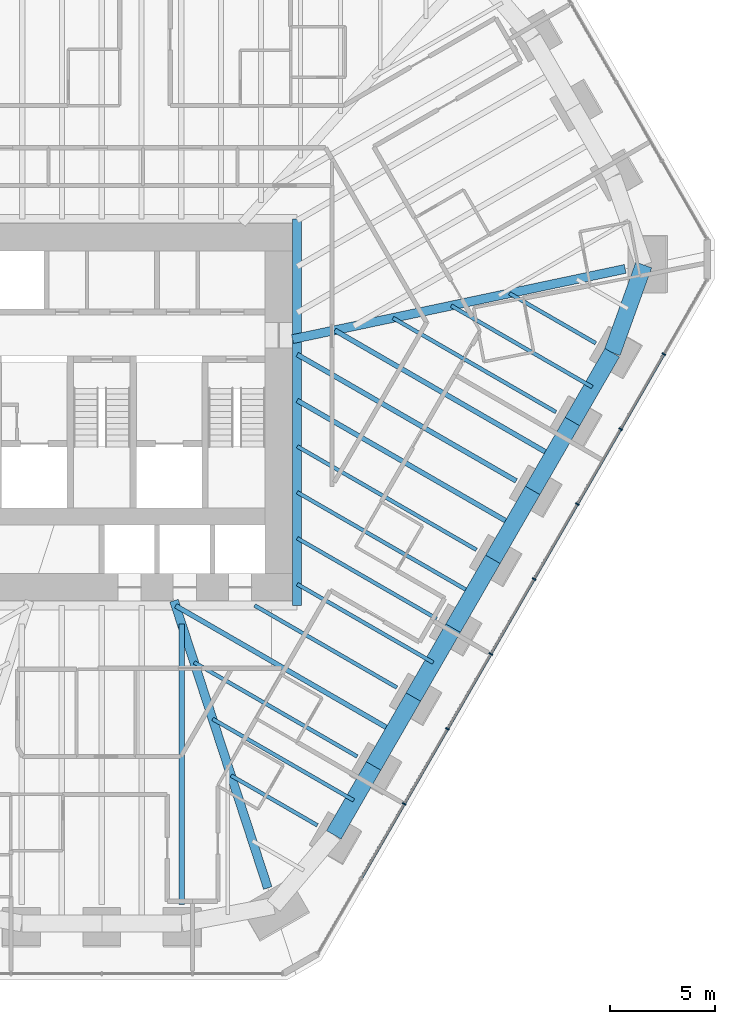
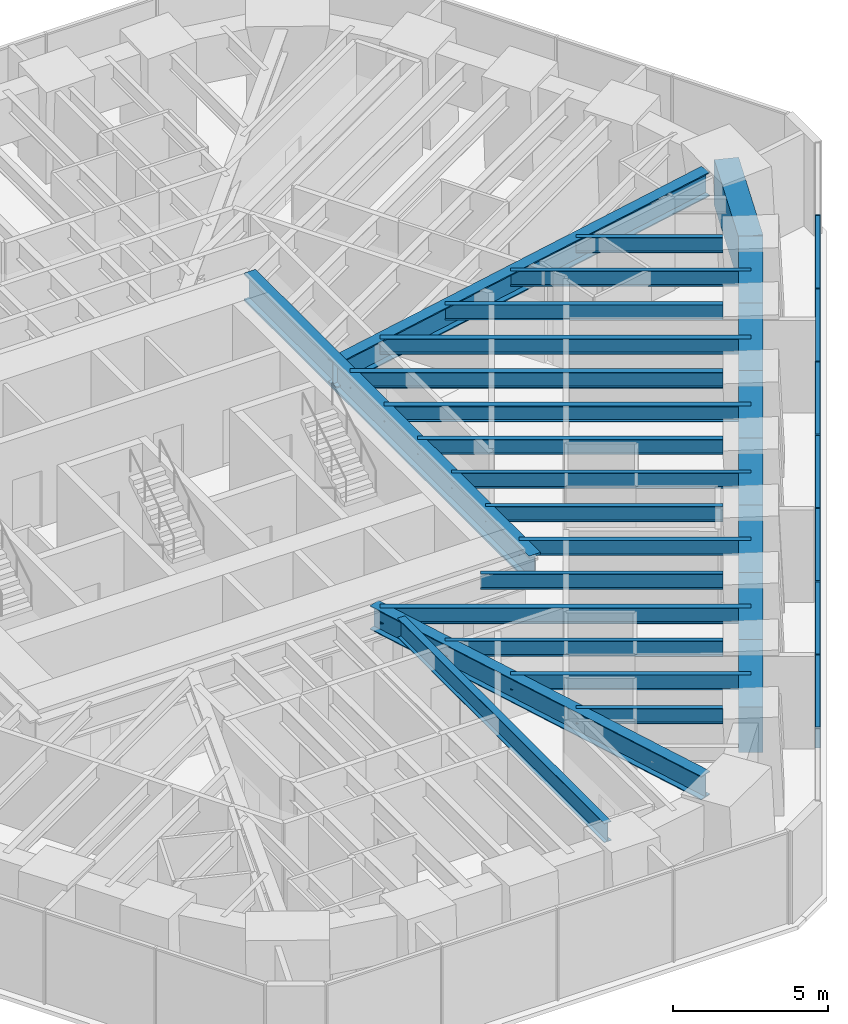
# One storey, part 5 of 17: 27 beams, 14 members, 1 element without a shape of its own.
"""IFC4 building model written with IfcOpenShell, lengths in metres."""

from ifc_helpers import new_model, si_unit, direction, frame, origin, origin_2d, place, context, subcontext, project, spatial, rectangle, i_section, extrude, material, material_profile, profile_set, type_object, element, aggregate, save


model = new_model("IFC4")

# Units and contexts
model_context = context("Model", 3, precision=1e-05, world=origin(), true_north=direction((0.0, 1.0)))
body_context = subcontext(model_context, "Body", "Model", "MODEL_VIEW")
ifc_project = project(units=[si_unit("LENGTHUNIT", "METRE"), si_unit("AREAUNIT", "SQUARE_METRE"), si_unit("VOLUMEUNIT", "CUBIC_METRE"), si_unit("PLANEANGLEUNIT", "RADIAN"), si_unit("MASSUNIT", "GRAM", prefix="KILO")], contexts=[model_context])

# Site, building, storey
site_placement = place(None, origin())
site = spatial("IfcSite", under=ifc_project, at=site_placement, CompositionType="ELEMENT")
building_placement = place(site_placement, origin())
building = spatial("IfcBuilding", under=site, at=building_placement, Name="Sandreach Pilgrim Tower", CompositionType="ELEMENT")
storey_placement = place(building_placement, frame((0.0, 0.0, 165.199951171875)))
storey = spatial("IfcBuildingStorey", under=building, at=storey_placement, Name="L41", CompositionType="ELEMENT", Elevation=165.199951171875)

# Curtain wall, members
ifc_material_1 = material(Name="Aluminium framed curtain wall", Category="aluminium")
curtain_wall_type = type_object("IfcCurtainWallType", Name="Hotel tower curtain wall", PredefinedType="NOTDEFINED", material=ifc_material_1)
curtain_wall_placement = place(storey_placement, origin())
curtain_wall = element("IfcCurtainWall", 1, at=curtain_wall_placement, inside=storey, type_object=curtain_wall_type, Name="CW-2 L41 SE", PredefinedType="NOTDEFINED")
ifc_material_2 = material(Name="Aluminium extrusion", Category="aluminium")
ifc_material_profile_1 = material_profile(ifc_material_2, rectangle(XDim=0.06494140625, YDim=0.179931640625, at=origin_2d()), Name="CW-2M 65X180")
ifc_profile_set_1 = profile_set([ifc_material_profile_1], Name="Aluminium extrusion")
member_type_1 = type_object("IfcMemberType", Name="CW-2 mullion", PredefinedType="MULLION", material=ifc_profile_set_1)
member_1_placement = place(storey_placement, frame((26.66748046875, 1.20166015625, 0.0), z_axis=(0.0, 0.0, 1.0), x_axis=(-0.5, -0.866025403784, 0.0)))
member_1 = element("IfcMember", 2, at=member_1_placement, type_object=member_type_1, Name="CW-2 mullion 2", PredefinedType="MULLION", context=body_context, shape_type="SweptSolid", body=[
    extrude(rectangle(XDim=0.06494140625, YDim=0.179931640625, at=origin_2d()), origin(), (0.0, 0.0, 1.0), 3.64013671875),
])
member_2_placement = place(storey_placement, frame((24.614013671875, -2.35498046875, 0.0), z_axis=(0.0, 0.0, 1.0), x_axis=(-0.5, -0.866025403784, 0.0)))
member_2 = element("IfcMember", 3, at=member_2_placement, type_object=member_type_1, Name="CW-2 mullion 3", PredefinedType="MULLION", context=body_context, shape_type="SweptSolid", body=[
    extrude(rectangle(XDim=0.06494140625, YDim=0.179931640625, at=origin_2d()), origin(), (0.0, 0.0, 1.0), 3.64013671875),
])
member_3_placement = place(storey_placement, frame((22.560302734375, -5.911865234375, 0.0), z_axis=(0.0, 0.0, 1.0), x_axis=(-0.5, -0.866025403784, 0.0)))
member_3 = element("IfcMember", 4, at=member_3_placement, type_object=member_type_1, Name="CW-2 mullion 4", PredefinedType="MULLION", context=body_context, shape_type="SweptSolid", body=[
    extrude(rectangle(XDim=0.06494140625, YDim=0.179931640625, at=origin_2d()), origin(), (0.0, 0.0, 1.0), 3.64013671875),
])
member_4_placement = place(storey_placement, frame((20.5068359375, -9.468505859375, 0.0), z_axis=(0.0, 0.0, 1.0), x_axis=(-0.5, -0.866025403784, 0.0)))
member_4 = element("IfcMember", 5, at=member_4_placement, type_object=member_type_1, Name="CW-2 mullion 5", PredefinedType="MULLION", context=body_context, shape_type="SweptSolid", body=[
    extrude(rectangle(XDim=0.06494140625, YDim=0.179931640625, at=origin_2d()), origin(), (0.0, 0.0, 1.0), 3.64013671875),
])
member_5_placement = place(storey_placement, frame((18.453369140625, -13.025146484375, 0.0), z_axis=(0.0, 0.0, 1.0), x_axis=(-0.5, -0.866025403784, 0.0)))
member_5 = element("IfcMember", 6, at=member_5_placement, type_object=member_type_1, Name="CW-2 mullion 6", PredefinedType="MULLION", context=body_context, shape_type="SweptSolid", body=[
    extrude(rectangle(XDim=0.06494140625, YDim=0.179931640625, at=origin_2d()), origin(), (0.0, 0.0, 1.0), 3.64013671875),
])
member_6_placement = place(storey_placement, frame((16.39990234375, -16.58203125, 0.0), z_axis=(0.0, 0.0, 1.0), x_axis=(-0.5, -0.866025403784, 0.0)))
member_6 = element("IfcMember", 7, at=member_6_placement, type_object=member_type_1, Name="CW-2 mullion 7", PredefinedType="MULLION", context=body_context, shape_type="SweptSolid", body=[
    extrude(rectangle(XDim=0.06494140625, YDim=0.179931640625, at=origin_2d()), origin(), (0.0, 0.0, 1.0), 3.64013671875),
])
member_7_placement = place(storey_placement, frame((14.346435546875, -20.138671875, 0.0), z_axis=(0.0, 0.0, 1.0), x_axis=(-0.5, -0.866025403784, 0.0)))
member_7 = element("IfcMember", 8, at=member_7_placement, type_object=member_type_1, Name="CW-2 mullion 8", PredefinedType="MULLION", context=body_context, shape_type="SweptSolid", body=[
    extrude(rectangle(XDim=0.06494140625, YDim=0.179931640625, at=origin_2d()), origin(), (0.0, 0.0, 1.0), 3.64013671875),
])
ifc_material_3 = material(Name="Aluminium extrusion", Category="aluminium")
ifc_material_profile_2 = material_profile(ifc_material_3, rectangle(XDim=0.139892578125, YDim=0.070068359375, at=origin_2d()), Name="CW-2T 140X70")
ifc_profile_set_2 = profile_set([ifc_material_profile_2], Name="Aluminium extrusion")
member_type_2 = type_object("IfcMemberType", Name="CW-2 transom", PredefinedType="USERDEFINED", material=ifc_profile_set_2)
member_8_placement = place(storey_placement, frame((26.651123046875, 1.173583984375, 3.60498046875), z_axis=(-0.499997818338, -0.866026663364, 0.0), x_axis=(0.866026663364, -0.499997818338, 0.0)))
member_8 = element("IfcMember", 9, at=member_8_placement, type_object=member_type_2, Name="CW-2 head transom 2", ObjectType="TRANSOM", PredefinedType="USERDEFINED", context=body_context, shape_type="SweptSolid", body=[
    extrude(rectangle(XDim=0.139892578125, YDim=0.070068359375, at=origin_2d()), origin(), (0.0, 0.0, 1.0), 4.0419921875),
])
member_9_placement = place(storey_placement, frame((24.59765625, -2.38330078125, 3.60498046875), z_axis=(-0.500023973715, -0.866011562111, 0.0), x_axis=(0.866011562111, -0.500023973715, 0.0)))
member_9 = element("IfcMember", 10, at=member_9_placement, type_object=member_type_2, Name="CW-2 head transom 3", ObjectType="TRANSOM", PredefinedType="USERDEFINED", context=body_context, shape_type="SweptSolid", body=[
    extrude(rectangle(XDim=0.139892578125, YDim=0.070068359375, at=origin_2d()), origin(), (0.0, 0.0, 1.0), 4.041748046875),
])
member_10_placement = place(storey_placement, frame((22.544189453125, -5.93994140625, 3.60498046875), z_axis=(-0.499997818338, -0.866026663364, 0.0), x_axis=(0.866026663364, -0.499997818338, 0.0)))
member_10 = element("IfcMember", 11, at=member_10_placement, type_object=member_type_2, Name="CW-2 head transom 4", ObjectType="TRANSOM", PredefinedType="USERDEFINED", context=body_context, shape_type="SweptSolid", body=[
    extrude(rectangle(XDim=0.139892578125, YDim=0.070068359375, at=origin_2d()), origin(), (0.0, 0.0, 1.0), 4.0419921875),
])
member_11_placement = place(storey_placement, frame((20.49072265625, -9.49658203125, 3.60498046875), z_axis=(-0.499997818338, -0.866026663364, 0.0), x_axis=(0.866026663364, -0.499997818338, 0.0)))
member_11 = element("IfcMember", 12, at=member_11_placement, type_object=member_type_2, Name="CW-2 head transom 5", ObjectType="TRANSOM", PredefinedType="USERDEFINED", context=body_context, shape_type="SweptSolid", body=[
    extrude(rectangle(XDim=0.139892578125, YDim=0.070068359375, at=origin_2d()), origin(), (0.0, 0.0, 1.0), 4.0419921875),
])
member_12_placement = place(storey_placement, frame((18.437255859375, -13.053466796875, 3.60498046875), z_axis=(-0.499997818338, -0.866026663364, 0.0), x_axis=(0.866026663364, -0.499997818338, 0.0)))
member_12 = element("IfcMember", 13, at=member_12_placement, type_object=member_type_2, Name="CW-2 head transom 6", ObjectType="TRANSOM", PredefinedType="USERDEFINED", context=body_context, shape_type="SweptSolid", body=[
    extrude(rectangle(XDim=0.139892578125, YDim=0.070068359375, at=origin_2d()), origin(), (0.0, 0.0, 1.0), 4.0419921875),
])
member_13_placement = place(storey_placement, frame((16.3837890625, -16.610107421875, 3.60498046875), z_axis=(-0.499997818338, -0.866026663364, 0.0), x_axis=(0.866026663364, -0.499997818338, 0.0)))
member_13 = element("IfcMember", 14, at=member_13_placement, type_object=member_type_2, Name="CW-2 head transom 7", ObjectType="TRANSOM", PredefinedType="USERDEFINED", context=body_context, shape_type="SweptSolid", body=[
    extrude(rectangle(XDim=0.139892578125, YDim=0.070068359375, at=origin_2d()), origin(), (0.0, 0.0, 1.0), 4.0419921875),
])
member_14_placement = place(storey_placement, frame((14.330322265625, -20.1669921875, 3.60498046875), z_axis=(-0.500023973715, -0.866011562111, 0.0), x_axis=(0.866011562111, -0.500023973715, 0.0)))
member_14 = element("IfcMember", 15, at=member_14_placement, type_object=member_type_2, Name="CW-2 head transom 8", ObjectType="TRANSOM", PredefinedType="USERDEFINED", context=body_context, shape_type="SweptSolid", body=[
    extrude(rectangle(XDim=0.139892578125, YDim=0.070068359375, at=origin_2d()), origin(), (0.0, 0.0, 1.0), 4.041748046875),
])
aggregate(curtain_wall, [member_1, member_2, member_3, member_4, member_5, member_6, member_7, member_8, member_9, member_10, member_11, member_12, member_13, member_14])

# Beams
ifc_material_4 = material(Name="Steel ASTM A992 Grade 50", Category="steel")
ifc_material_profile_3 = material_profile(ifc_material_4, i_section(OverallWidth=0.424072265625, OverallDepth=1.09228515625, WebThickness=0.04541015625, FlangeThickness=0.08203125, at=origin_2d()), Name="W40X593")
ifc_profile_set_3 = profile_set([ifc_material_profile_3], Name="Steel ASTM A992 Grade 50")
beam_type_1 = type_object("IfcBeamType", Name="Core edge beam W40X593", PredefinedType="BEAM", material=ifc_profile_set_3)
beam_1_placement = place(storey_placement, frame((9.27197265625, 7.6220703125, 3.093994140625), z_axis=(0.0, -1.0, 0.0), x_axis=(1.0, 0.0, 0.0)))
element("IfcBeam", 16, at=beam_1_placement, inside=storey, type_object=beam_type_1, Name="BM L41 CEE", PredefinedType="BEAM", context=body_context, shape_type="SweptSolid", body=[
    extrude(i_section(OverallWidth=0.424072265625, OverallDepth=1.09228515625, WebThickness=0.04541015625, FlangeThickness=0.08203125, at=origin_2d()), origin(), (0.0, 0.0, 1.0), 18.34423828125),
])
ifc_material_5 = material(Name="Steel ASTM A992 Grade 50", Category="steel")
ifc_material_profile_4 = material_profile(ifc_material_5, i_section(OverallWidth=0.419189453125, OverallDepth=0.927001953125, WebThickness=0.019287109375, FlangeThickness=0.031982421875, at=origin_2d()), Name="W36X231")
ifc_profile_set_4 = profile_set([ifc_material_profile_4], Name="Steel ASTM A992 Grade 50")
beam_type_2 = type_object("IfcBeamType", Name="Corner girder W36X231", PredefinedType="BEAM", material=ifc_profile_set_4)
beam_2_placement = place(storey_placement, frame((7.875244140625, -24.12548828125, 3.176513671875), z_axis=(-0.310314452982, 0.950633967556, 0.0), x_axis=(-0.950633967556, -0.310314452982, 0.0)))
element("IfcBeam", 17, at=beam_2_placement, inside=storey, type_object=beam_type_2, Name="BM L41 CG22", PredefinedType="BEAM", context=body_context, shape_type="SweptSolid", body=[
    extrude(i_section(OverallWidth=0.419189453125, OverallDepth=0.927001953125, WebThickness=0.019287109375, FlangeThickness=0.031982421875, at=origin_2d()), origin(), (0.0, 0.0, 1.0), 14.3330078125),
])
ifc_material_6 = material(Name="Steel ASTM A992 Grade 50", Category="steel")
ifc_material_profile_5 = material_profile(ifc_material_6, i_section(OverallWidth=0.424072265625, OverallDepth=0.947509765625, WebThickness=0.02392578125, FlangeThickness=0.042724609375, at=origin_2d()), Name="W36X302")
ifc_profile_set_5 = profile_set([ifc_material_profile_5], Name="Steel ASTM A992 Grade 50")
beam_type_3 = type_object("IfcBeamType", Name="Corner girder W36X302", PredefinedType="BEAM", material=ifc_profile_set_5)
beam_3_placement = place(storey_placement, frame((24.830810546875, 5.24267578125, 3.166259765625), z_axis=(-0.978427553331, -0.206590229398, 0.0), x_axis=(0.206590229398, -0.978427553331, 0.0)))
element("IfcBeam", 18, at=beam_3_placement, inside=storey, type_object=beam_type_3, Name="BM L41 CG13", PredefinedType="BEAM", context=body_context, shape_type="SweptSolid", body=[
    extrude(i_section(OverallWidth=0.424072265625, OverallDepth=0.947509765625, WebThickness=0.02392578125, FlangeThickness=0.042724609375, at=origin_2d()), origin(), (0.0, 0.0, 1.0), 16.128662109375),
])
ifc_material_7 = material(Name="Steel ASTM A992 Grade 50", Category="steel")
ifc_material_profile_6 = material_profile(ifc_material_7, i_section(OverallWidth=0.1787109375, OverallDepth=0.60205078125, WebThickness=0.010986328125, FlangeThickness=0.014892578125, at=origin_2d()), Name="W24X62")
ifc_profile_set_6 = profile_set([ifc_material_profile_6], Name="Steel ASTM A992 Grade 50")
beam_type_4 = type_object("IfcBeamType", Name="Floor beam W24X62", PredefinedType="BEAM", material=ifc_profile_set_6)
beam_4_placement = place(storey_placement, frame((23.4345703125, 1.719482421875, 3.339111328125), z_axis=(-0.866041980557, 0.499971287088, 0.0), x_axis=(-0.499971287088, -0.866041980557, 0.0)))
element("IfcBeam", 19, at=beam_4_placement, inside=storey, type_object=beam_type_4, Name="BM L41 F14", PredefinedType="BEAM", context=body_context, shape_type="SweptSolid", body=[
    extrude(i_section(OverallWidth=0.1787109375, OverallDepth=0.60205078125, WebThickness=0.010986328125, FlangeThickness=0.014892578125, at=origin_2d()), origin(), (0.0, 0.0, 1.0), 4.727783203125),
])
beam_5_placement = place(storey_placement, frame((21.5478515625, -1.54833984375, 3.339111328125), z_axis=(-0.866022142072, 0.50000564941, 0.0), x_axis=(-0.50000564941, -0.866022142072, 0.0)))
element("IfcBeam", 20, at=beam_5_placement, inside=storey, type_object=beam_type_4, Name="BM L41 F15", PredefinedType="BEAM", context=body_context, shape_type="SweptSolid", body=[
    extrude(i_section(OverallWidth=0.1787109375, OverallDepth=0.60205078125, WebThickness=0.010986328125, FlangeThickness=0.014892578125, at=origin_2d()), origin(), (0.0, 0.0, 1.0), 8.93017578125),
])
beam_6_placement = place(storey_placement, frame((17.774658203125, -8.083740234375, 3.339111328125), z_axis=(-0.866029472009, 0.499992953562, 0.0), x_axis=(-0.499992953562, -0.866029472009, 0.0)))
element("IfcBeam", 21, at=beam_6_placement, inside=storey, type_object=beam_type_4, Name="BM L41 F17", PredefinedType="BEAM", context=body_context, shape_type="SweptSolid", body=[
    extrude(i_section(OverallWidth=0.1787109375, OverallDepth=0.60205078125, WebThickness=0.010986328125, FlangeThickness=0.014892578125, at=origin_2d()), origin(), (0.0, 0.0, 1.0), 9.818115234375),
])
beam_7_placement = place(storey_placement, frame((15.88818359375, -11.3515625, 3.339111328125), z_axis=(-0.86602806469, 0.499995391149, 0.0), x_axis=(-0.499995391149, -0.86602806469, 0.0)))
element("IfcBeam", 22, at=beam_7_placement, inside=storey, type_object=beam_type_4, Name="BM L41 F18", PredefinedType="BEAM", context=body_context, shape_type="SweptSolid", body=[
    extrude(i_section(OverallWidth=0.1787109375, OverallDepth=0.60205078125, WebThickness=0.010986328125, FlangeThickness=0.014892578125, at=origin_2d()), origin(), (0.0, 0.0, 1.0), 7.6396484375),
])
beam_8_placement = place(storey_placement, frame((14.00146484375, -14.619140625, 3.339111328125), z_axis=(-0.866033273792, 0.499986368499, 0.0), x_axis=(-0.499986368499, -0.866033273792, 0.0)))
element("IfcBeam", 23, at=beam_8_placement, inside=storey, type_object=beam_type_4, Name="BM L41 F19", PredefinedType="BEAM", context=body_context, shape_type="SweptSolid", body=[
    extrude(i_section(OverallWidth=0.1787109375, OverallDepth=0.60205078125, WebThickness=0.010986328125, FlangeThickness=0.014892578125, at=origin_2d()), origin(), (0.0, 0.0, 1.0), 7.794189453125),
])
beam_9_placement = place(storey_placement, frame((12.11474609375, -17.886962890625, 3.339111328125), z_axis=(-0.866015306888, 0.50001748793, 0.0), x_axis=(-0.50001748793, -0.866015306888, 0.0)))
element("IfcBeam", 24, at=beam_9_placement, inside=storey, type_object=beam_type_4, Name="BM L41 F20", PredefinedType="BEAM", context=body_context, shape_type="SweptSolid", body=[
    extrude(i_section(OverallWidth=0.1787109375, OverallDepth=0.60205078125, WebThickness=0.010986328125, FlangeThickness=0.014892578125, at=origin_2d()), origin(), (0.0, 0.0, 1.0), 8.929931640625),
])
beam_10_placement = place(storey_placement, frame((10.228271484375, -21.154541015625, 3.339111328125), z_axis=(-0.86601962067, 0.500010016514, 0.0), x_axis=(-0.500010016514, -0.86601962067, 0.0)))
element("IfcBeam", 25, at=beam_10_placement, inside=storey, type_object=beam_type_4, Name="BM L41 F21", PredefinedType="BEAM", context=body_context, shape_type="SweptSolid", body=[
    extrude(i_section(OverallWidth=0.1787109375, OverallDepth=0.60205078125, WebThickness=0.010986328125, FlangeThickness=0.014892578125, at=origin_2d()), origin(), (0.0, 0.0, 1.0), 4.72802734375),
])
beam_11_placement = place(storey_placement, frame((23.270751953125, -0.364501953125, 3.339111328125), z_axis=(-0.866028307959, 0.499994969788, 0.0), x_axis=(-0.499994969788, -0.866028307959, 0.0)))
element("IfcBeam", 26, at=beam_11_placement, inside=storey, type_object=beam_type_4, Name="BM L41 FM14", PredefinedType="BEAM", context=body_context, shape_type="SweptSolid", body=[
    extrude(i_section(OverallWidth=0.1787109375, OverallDepth=0.60205078125, WebThickness=0.010986328125, FlangeThickness=0.014892578125, at=origin_2d()), origin(), (0.0, 0.0, 1.0), 7.72900390625),
])
beam_12_placement = place(storey_placement, frame((17.61083984375, -10.167724609375, 3.339111328125), z_axis=(-0.866025138031, 0.500000460299, 0.0), x_axis=(-0.500000460299, -0.866025138031, 0.0)))
element("IfcBeam", 27, at=beam_12_placement, inside=storey, type_object=beam_type_4, Name="BM L41 FM17", PredefinedType="BEAM", context=body_context, shape_type="SweptSolid", body=[
    extrude(i_section(OverallWidth=0.1787109375, OverallDepth=0.60205078125, WebThickness=0.010986328125, FlangeThickness=0.014892578125, at=origin_2d()), origin(), (0.0, 0.0, 1.0), 9.62890625),
])
beam_13_placement = place(storey_placement, frame((15.72412109375, -13.435302734375, 3.339111328125), z_axis=(-0.866028424924, 0.499994767197, 0.0), x_axis=(-0.499994767197, -0.866028424924, 0.0)))
element("IfcBeam", 28, at=beam_13_placement, inside=storey, type_object=beam_type_4, Name="BM L41 FM18", PredefinedType="BEAM", context=body_context, shape_type="SweptSolid", body=[
    extrude(i_section(OverallWidth=0.1787109375, OverallDepth=0.60205078125, WebThickness=0.010986328125, FlangeThickness=0.014892578125, at=origin_2d()), origin(), (0.0, 0.0, 1.0), 7.4501953125),
])
beam_14_placement = place(storey_placement, frame((11.950927734375, -19.970703125, 3.339111328125), z_axis=(-0.866020410975, 0.500008647699, 0.0), x_axis=(-0.500008647699, -0.866020410975, 0.0)))
element("IfcBeam", 29, at=beam_14_placement, inside=storey, type_object=beam_type_4, Name="BM L41 FM20", PredefinedType="BEAM", context=body_context, shape_type="SweptSolid", body=[
    extrude(i_section(OverallWidth=0.1787109375, OverallDepth=0.60205078125, WebThickness=0.010986328125, FlangeThickness=0.014892578125, at=origin_2d()), origin(), (0.0, 0.0, 1.0), 7.728759765625),
])
ifc_material_8 = material(Name="Steel ASTM A992 Grade 50", Category="steel")
ifc_material_profile_7 = material_profile(ifc_material_8, i_section(OverallWidth=0.23046875, OverallDepth=0.6171875, WebThickness=0.01318359375, FlangeThickness=0.022216796875, at=origin_2d()), Name="W24X94")
ifc_profile_set_7 = profile_set([ifc_material_profile_7], Name="Steel ASTM A992 Grade 50")
beam_type_5 = type_object("IfcBeamType", Name="Floor beam W24X94", PredefinedType="BEAM", material=ifc_profile_set_7)
beam_15_placement = place(storey_placement, frame((19.661376953125, -4.816162109375, 3.33154296875), z_axis=(-0.866026643697, 0.499997852403, 0.0), x_axis=(-0.499997852403, -0.866026643697, 0.0)))
element("IfcBeam", 30, at=beam_15_placement, inside=storey, type_object=beam_type_5, Name="BM L41 F16", PredefinedType="BEAM", context=body_context, shape_type="SweptSolid", body=[
    extrude(i_section(OverallWidth=0.23046875, OverallDepth=0.6171875, WebThickness=0.01318359375, FlangeThickness=0.022216796875, at=origin_2d()), origin(), (0.0, 0.0, 1.0), 11.99658203125),
])
beam_16_placement = place(storey_placement, frame((21.384033203125, -3.632080078125, 3.33154296875), z_axis=(-0.866030880463, 0.499990513994, 0.0), x_axis=(-0.499990513994, -0.866030880463, 0.0)))
element("IfcBeam", 31, at=beam_16_placement, inside=storey, type_object=beam_type_5, Name="BM L41 FM15", PredefinedType="BEAM", context=body_context, shape_type="SweptSolid", body=[
    extrude(i_section(OverallWidth=0.23046875, OverallDepth=0.6171875, WebThickness=0.01318359375, FlangeThickness=0.022216796875, at=origin_2d()), origin(), (0.0, 0.0, 1.0), 11.930908203125),
])
beam_17_placement = place(storey_placement, frame((19.497314453125, -6.89990234375, 3.33154296875), z_axis=(-0.866026848204, 0.499997498184, 0.0), x_axis=(-0.499997498184, -0.866026848204, 0.0)))
element("IfcBeam", 32, at=beam_17_placement, inside=storey, type_object=beam_type_5, Name="BM L41 FM16", PredefinedType="BEAM", context=body_context, shape_type="SweptSolid", body=[
    extrude(i_section(OverallWidth=0.23046875, OverallDepth=0.6171875, WebThickness=0.01318359375, FlangeThickness=0.022216796875, at=origin_2d()), origin(), (0.0, 0.0, 1.0), 11.80712890625),
])
beam_18_placement = place(storey_placement, frame((13.837646484375, -16.703125, 3.33154296875), z_axis=(-0.866022019834, 0.500005861128, 0.0), x_axis=(-0.500005861128, -0.866022019834, 0.0)))
element("IfcBeam", 33, at=beam_18_placement, inside=storey, type_object=beam_type_5, Name="BM L41 FM19", PredefinedType="BEAM", context=body_context, shape_type="SweptSolid", body=[
    extrude(i_section(OverallWidth=0.23046875, OverallDepth=0.6171875, WebThickness=0.01318359375, FlangeThickness=0.022216796875, at=origin_2d()), origin(), (0.0, 0.0, 1.0), 11.930908203125),
])
ifc_material_9 = material(Name="Steel ASTM A992 Grade 50", Category="steel")
ifc_material_profile_8 = material_profile(ifc_material_9, i_section(OverallWidth=0.2666015625, OverallDepth=0.761962890625, WebThickness=0.014404296875, FlangeThickness=0.021484375, at=origin_2d()), Name="W30X116")
ifc_profile_set_8 = profile_set([ifc_material_profile_8], Name="Steel ASTM A992 Grade 50")
beam_type_6 = type_object("IfcBeamType", Name="Floor beam W30X116", PredefinedType="BEAM", material=ifc_profile_set_8)
beam_19_placement = place(storey_placement, frame((3.790283203125, -24.908935546875, 3.259033203125), z_axis=(0.0, 1.0, 0.0), x_axis=(-1.0, 0.0, 0.0)))
element("IfcBeam", 34, at=beam_19_placement, inside=storey, type_object=beam_type_6, Name="BM L41 F23", PredefinedType="BEAM", context=body_context, shape_type="SweptSolid", body=[
    extrude(i_section(OverallWidth=0.2666015625, OverallDepth=0.761962890625, WebThickness=0.014404296875, FlangeThickness=0.021484375, at=origin_2d()), origin(), (0.0, 0.0, 1.0), 13.297607421875),
])
ifc_material_10 = material(Name="Concrete 10000 psi", Category="concrete")
ifc_material_profile_9 = material_profile(ifc_material_10, rectangle(XDim=0.800048828125, YDim=1.800048828125, at=origin_2d()), Name="RC800X1800")
ifc_profile_set_9 = profile_set([ifc_material_profile_9], Name="Concrete 10000 psi")
beam_type_7 = type_object("IfcBeamType", Name="Spandrel beam RC800X1800", PredefinedType="SPANDREL", material=ifc_profile_set_9)
beam_20_placement = place(storey_placement, frame((25.71142578125, 5.428466796875, 2.739990234375), z_axis=(-0.338770315352, -0.940869105368, 0.0), x_axis=(0.940869105368, -0.338770315352, 0.0)))
element("IfcBeam", 35, at=beam_20_placement, inside=storey, type_object=beam_type_7, Name="BM L41 SP13", PredefinedType="SPANDREL", context=body_context, shape_type="SweptSolid", body=[
    extrude(rectangle(XDim=0.800048828125, YDim=1.800048828125, at=origin_2d()), origin(), (0.0, 0.0, 1.0), 4.420654296875),
])
beam_21_placement = place(storey_placement, frame((24.2138671875, 1.269287109375, 2.739990234375), z_axis=(-0.499987576152, -0.866032576578, 0.0), x_axis=(0.866032576578, -0.499987576152, 0.0)))
element("IfcBeam", 36, at=beam_21_placement, inside=storey, type_object=beam_type_7, Name="BM L41 SP14", PredefinedType="SPANDREL", context=body_context, shape_type="SweptSolid", body=[
    extrude(rectangle(XDim=0.800048828125, YDim=1.800048828125, at=origin_2d()), origin(), (0.0, 0.0, 1.0), 3.77294921875),
])
beam_22_placement = place(storey_placement, frame((22.327392578125, -1.998291015625, 2.739990234375), z_axis=(-0.500008086624, -0.86602073492, 0.0), x_axis=(0.86602073492, -0.500008086624, 0.0)))
element("IfcBeam", 37, at=beam_22_placement, inside=storey, type_object=beam_type_7, Name="BM L41 SP15", PredefinedType="SPANDREL", context=body_context, shape_type="SweptSolid", body=[
    extrude(rectangle(XDim=0.800048828125, YDim=1.800048828125, at=origin_2d()), origin(), (0.0, 0.0, 1.0), 3.7734375),
])
beam_23_placement = place(storey_placement, frame((20.440673828125, -5.26611328125, 2.739990234375), z_axis=(-0.499987576152, -0.866032576578, 0.0), x_axis=(0.866032576578, -0.499987576152, 0.0)))
element("IfcBeam", 38, at=beam_23_placement, inside=storey, type_object=beam_type_7, Name="BM L41 SP16", PredefinedType="SPANDREL", context=body_context, shape_type="SweptSolid", body=[
    extrude(rectangle(XDim=0.800048828125, YDim=1.800048828125, at=origin_2d()), origin(), (0.0, 0.0, 1.0), 3.77294921875),
])
beam_24_placement = place(storey_placement, frame((18.55419921875, -8.53369140625, 2.739990234375), z_axis=(-0.500008086624, -0.86602073492, 0.0), x_axis=(0.86602073492, -0.500008086624, 0.0)))
element("IfcBeam", 39, at=beam_24_placement, inside=storey, type_object=beam_type_7, Name="BM L41 SP17", PredefinedType="SPANDREL", context=body_context, shape_type="SweptSolid", body=[
    extrude(rectangle(XDim=0.800048828125, YDim=1.800048828125, at=origin_2d()), origin(), (0.0, 0.0, 1.0), 3.7734375),
])
beam_25_placement = place(storey_placement, frame((16.66748046875, -11.801513671875, 2.739990234375), z_axis=(-0.499987576152, -0.866032576578, 0.0), x_axis=(0.866032576578, -0.499987576152, 0.0)))
element("IfcBeam", 40, at=beam_25_placement, inside=storey, type_object=beam_type_7, Name="BM L41 SP18", PredefinedType="SPANDREL", context=body_context, shape_type="SweptSolid", body=[
    extrude(rectangle(XDim=0.800048828125, YDim=1.800048828125, at=origin_2d()), origin(), (0.0, 0.0, 1.0), 3.77294921875),
])
beam_26_placement = place(storey_placement, frame((14.781005859375, -15.069091796875, 2.739990234375), z_axis=(-0.500008086624, -0.86602073492, 0.0), x_axis=(0.86602073492, -0.500008086624, 0.0)))
element("IfcBeam", 41, at=beam_26_placement, inside=storey, type_object=beam_type_7, Name="BM L41 SP19", PredefinedType="SPANDREL", context=body_context, shape_type="SweptSolid", body=[
    extrude(rectangle(XDim=0.800048828125, YDim=1.800048828125, at=origin_2d()), origin(), (0.0, 0.0, 1.0), 3.7734375),
])
beam_27_placement = place(storey_placement, frame((12.894287109375, -18.3369140625, 2.739990234375), z_axis=(-0.500036104519, -0.866004557827, 0.0), x_axis=(0.866004557827, -0.500036104519, 0.0)))
element("IfcBeam", 42, at=beam_27_placement, inside=storey, type_object=beam_type_7, Name="BM L41 SP20", PredefinedType="SPANDREL", context=body_context, shape_type="SweptSolid", body=[
    extrude(rectangle(XDim=0.800048828125, YDim=1.800048828125, at=origin_2d()), origin(), (0.0, 0.0, 1.0), 3.773193359375),
])

save(model, "model.ifc")
